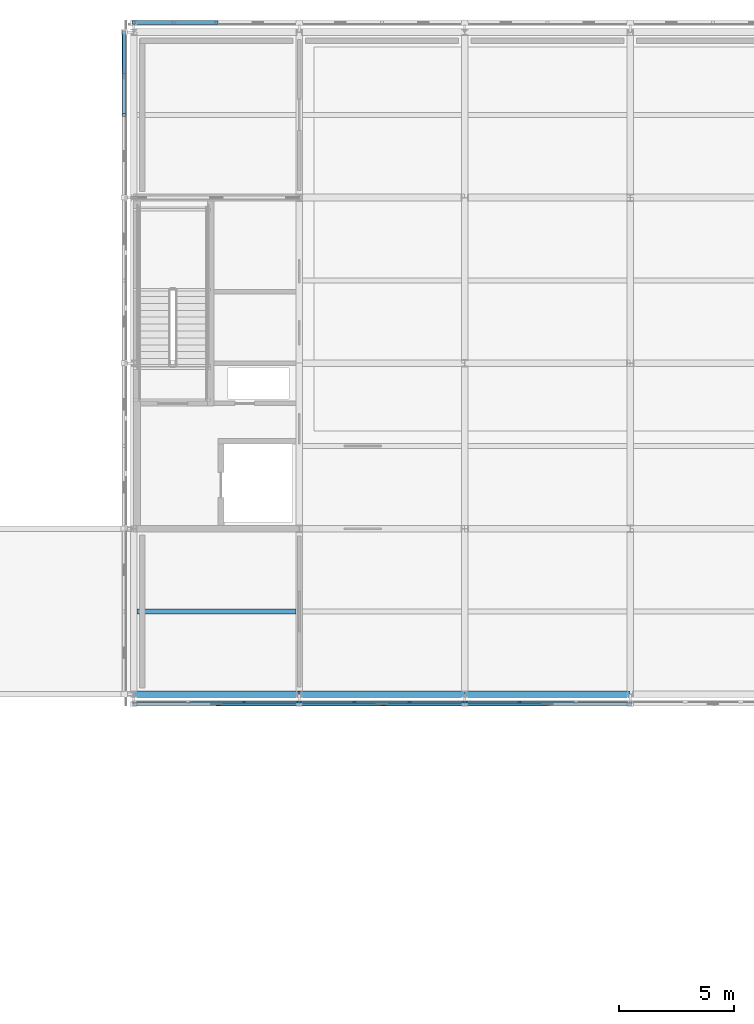
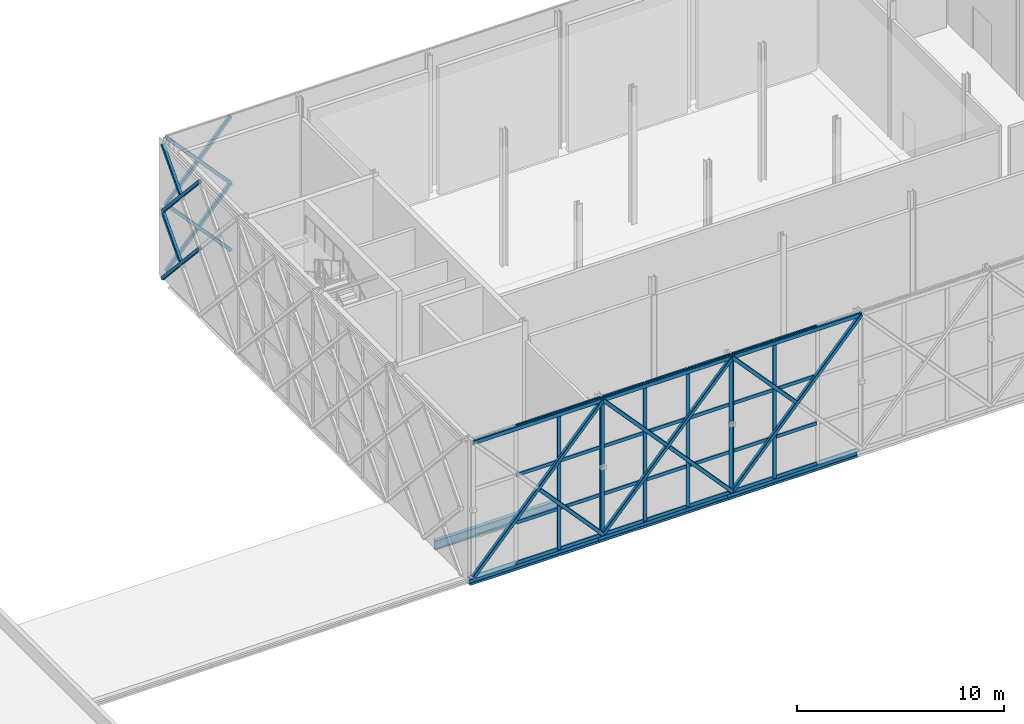
# One storey, part 43 of 76: 56 members, 4 beams, 3 elements without a shape of their own.
"""IFC4 building model written with IfcOpenShell, lengths in metres."""

from ifc_helpers import new_model, si_unit, direction, frame, origin, origin_2d, place, context, subcontext, project, spatial, rectangle, hollow_rectangle, i_section, extrude, material, material_profile, profile_set, type_object, element, aggregate, save


model = new_model("IFC4")

# Units and contexts
model_context = context("Model", 3, precision=1e-05, world=origin(), true_north=direction((0.0, 1.0)))
body_context = subcontext(model_context, "Body", "Model", "MODEL_VIEW")
ifc_project = project(units=[si_unit("LENGTHUNIT", "METRE"), si_unit("AREAUNIT", "SQUARE_METRE"), si_unit("VOLUMEUNIT", "CUBIC_METRE"), si_unit("PLANEANGLEUNIT", "RADIAN"), si_unit("MASSUNIT", "GRAM", prefix="KILO")], contexts=[model_context])

# Site, building, storey
site_placement = place(None, origin())
site = spatial("IfcSite", under=ifc_project, at=site_placement, CompositionType="ELEMENT")
building_placement = place(site_placement, origin())
building = spatial("IfcBuilding", under=site, at=building_placement, Name="Zlatovets Crest Museum", CompositionType="ELEMENT")
storey_placement = place(building_placement, frame((0.0, 0.0, 17.10009765625)))
storey = spatial("IfcBuildingStorey", under=building, at=storey_placement, Name="L04", CompositionType="ELEMENT", Elevation=17.10009765625)

# Beams
ifc_material_1 = material(Name="Structural steel S355J2", Category="steel")
ifc_material_profile_1 = material_profile(ifc_material_1, i_section(OverallWidth=0.300048828125, OverallDepth=0.35009765625, WebThickness=0.010009765625, FlangeThickness=0.017578125, FilletRadius=0.027099609375, at=origin_2d()), Name="HEA 360")
ifc_profile_set_1 = profile_set([ifc_material_profile_1], Name="Structural steel S355J2")
beam_type_1 = type_object("IfcBeamType", Name="Beam_B-03", PredefinedType="BEAM", material=ifc_profile_set_1)
for number, where, z_axis, x_axis, name in (
    (1, (57.60009765625, 86.39990234375, -0.4150390625), (1.0, 0.0, 0.0), (0.0, 1.0, 0.0), "V1 L04 Primary Girder B-03"),
    (2, (64.800048828125, 86.39990234375, -0.4150390625), (1.0, 0.0, 0.0), (0.0, 1.0, 0.0), "V1 L04 Primary Girder B-03"),
    (3, (72.0, 86.39990234375, -0.4150390625), (1.0, 0.0, 0.0), (0.0, 1.0, 0.0), "V1 L04 Primary Girder B-03"),
):
    element("IfcBeam", number, at=place(storey_placement, frame(where, z_axis=z_axis, x_axis=x_axis)), inside=storey, type_object=beam_type_1, Name=name, PredefinedType="BEAM", context=body_context, shape_type="SweptSolid", body=[
        extrude(i_section(OverallWidth=0.300048828125, OverallDepth=0.35009765625, WebThickness=0.010009765625, FlangeThickness=0.017578125, FilletRadius=0.027099609375, at=origin_2d()), origin(), (0.0, 0.0, 1.0), 7.199951171875),
    ])
ifc_material_profile_2 = material_profile(ifc_material_1, i_section(OverallWidth=0.2099609375, OverallDepth=0.550048828125, WebThickness=0.010986328125, FlangeThickness=0.01708984375, FilletRadius=0.02392578125, at=origin_2d()), Name="IPE 550")
ifc_profile_set_2 = profile_set([ifc_material_profile_2], Name="Structural steel S355J2")
beam_type_2 = type_object("IfcBeamType", Name="Beam_J-07", PredefinedType="JOIST", material=ifc_profile_set_2)
beam_placement = place(storey_placement, frame((57.75, 90.0, -0.51513671875), z_axis=(1.0, 0.0, 0.0), x_axis=(0.0, 1.0, 0.0)))
element("IfcBeam", 4, at=beam_placement, inside=storey, type_object=beam_type_2, Name="V1 L04 Composite Joist J-07", PredefinedType="JOIST", context=body_context, shape_type="SweptSolid", body=[
    extrude(i_section(OverallWidth=0.2099609375, OverallDepth=0.550048828125, WebThickness=0.010986328125, FlangeThickness=0.01708984375, FilletRadius=0.02392578125, at=origin_2d()), origin(), (0.0, 0.0, 1.0), 6.89990234375),
])

# Curtain wall, members
ifc_material_2 = material(Name="Bronze-anodised aluminium and low-E triple glass", Category="aluminium")
curtain_wall_type_1 = type_object("IfcCurtainWallType", Name="CW_CW-V1-L04-M0", PredefinedType="NOTDEFINED", material=ifc_material_2)
curtain_wall_1_placement = place(storey_placement, origin())
curtain_wall_1 = element("IfcCurtainWall", 5, at=curtain_wall_1_placement, inside=storey, type_object=curtain_wall_type_1, Name="V1 L04 Secession Foyer Clear Curtain Wall", PredefinedType="NOTDEFINED")
ifc_material_3 = material(Name="Bronze-anodised aluminium EN AW-6060", Category="aluminium")
ifc_material_profile_3 = material_profile(ifc_material_3, rectangle(XDim=0.090087890625, YDim=0.199951171875, at=origin_2d()), Name="ALU 90x200")
ifc_profile_set_3 = profile_set([ifc_material_profile_3], Name="Bronze-anodised aluminium EN AW-6060")
member_type_1 = type_object("IfcMemberType", Name="CWMull_M2", PredefinedType="MULLION", material=ifc_profile_set_3)
member_1_placement = place(storey_placement, frame((62.39990234375, 86.06005859375, 0.0), z_axis=(0.0, 0.0, 1.0), x_axis=(0.0, 1.0, 0.0)))
member_1 = element("IfcMember", 6, at=member_1_placement, type_object=member_type_1, Name="CW-V1-L04-M0 mullion 3", PredefinedType="MULLION", context=body_context, shape_type="SweptSolid", body=[
    extrude(rectangle(XDim=0.090087890625, YDim=0.199951171875, at=origin_2d()), origin(), (0.0, 0.0, 1.0), 8.099853515625),
])
member_2_placement = place(storey_placement, frame((64.77001953125, 86.06005859375, 0.0), z_axis=(0.0, 0.0, 1.0), x_axis=(0.0, 1.0, 0.0)))
member_2 = element("IfcMember", 7, at=member_2_placement, type_object=member_type_1, Name="CW-V1-L04-M0 mullion 4", PredefinedType="MULLION", context=body_context, shape_type="SweptSolid", body=[
    extrude(rectangle(XDim=0.090087890625, YDim=0.199951171875, at=origin_2d()), origin(), (0.0, 0.0, 1.0), 8.099853515625),
])

curtain_wall_type_2 = type_object("IfcCurtainWallType", Name="CW_CW-V1-L04-M1", PredefinedType="NOTDEFINED", material=ifc_material_2)
curtain_wall_2_placement = place(storey_placement, origin())
curtain_wall_2 = element("IfcCurtainWall", 8, at=curtain_wall_2_placement, inside=storey, type_object=curtain_wall_type_2, Name="V1 L04 Secession Foyer Clear Curtain Wall", PredefinedType="NOTDEFINED")
member_3_placement = place(storey_placement, frame((64.830078125, 86.06005859375, 0.0), z_axis=(0.0, 0.0, 1.0), x_axis=(0.0, 1.0, 0.0)))
member_3 = element("IfcMember", 9, at=member_3_placement, type_object=member_type_1, Name="CW-V1-L04-M1 mullion 1", PredefinedType="MULLION", context=body_context, shape_type="SweptSolid", body=[
    extrude(rectangle(XDim=0.090087890625, YDim=0.199951171875, at=origin_2d()), origin(), (0.0, 0.0, 1.0), 8.099853515625),
])
member_4_placement = place(storey_placement, frame((67.199951171875, 86.06005859375, 0.0), z_axis=(0.0, 0.0, 1.0), x_axis=(0.0, 1.0, 0.0)))
member_4 = element("IfcMember", 10, at=member_4_placement, type_object=member_type_1, Name="CW-V1-L04-M1 mullion 2", PredefinedType="MULLION", context=body_context, shape_type="SweptSolid", body=[
    extrude(rectangle(XDim=0.090087890625, YDim=0.199951171875, at=origin_2d()), origin(), (0.0, 0.0, 1.0), 8.099853515625),
])
member_5_placement = place(storey_placement, frame((69.60009765625, 86.06005859375, 0.0), z_axis=(0.0, 0.0, 1.0), x_axis=(0.0, 1.0, 0.0)))
member_5 = element("IfcMember", 11, at=member_5_placement, type_object=member_type_1, Name="CW-V1-L04-M1 mullion 3", PredefinedType="MULLION", context=body_context, shape_type="SweptSolid", body=[
    extrude(rectangle(XDim=0.090087890625, YDim=0.199951171875, at=origin_2d()), origin(), (0.0, 0.0, 1.0), 8.099853515625),
])
member_6_placement = place(storey_placement, frame((71.969970703125, 86.06005859375, 0.0), z_axis=(0.0, 0.0, 1.0), x_axis=(0.0, 1.0, 0.0)))
member_6 = element("IfcMember", 12, at=member_6_placement, type_object=member_type_1, Name="CW-V1-L04-M1 mullion 4", PredefinedType="MULLION", context=body_context, shape_type="SweptSolid", body=[
    extrude(rectangle(XDim=0.090087890625, YDim=0.199951171875, at=origin_2d()), origin(), (0.0, 0.0, 1.0), 8.099853515625),
])

curtain_wall_type_3 = type_object("IfcCurtainWallType", Name="CW_CW-V1-L04-M2", PredefinedType="NOTDEFINED", material=ifc_material_2)
curtain_wall_3_placement = place(storey_placement, origin())
curtain_wall_3 = element("IfcCurtainWall", 13, at=curtain_wall_3_placement, inside=storey, type_object=curtain_wall_type_3, Name="V1 L04 Secession Foyer Clear Curtain Wall", PredefinedType="NOTDEFINED")
member_7_placement = place(storey_placement, frame((72.030029296875, 86.06005859375, 0.0), z_axis=(0.0, 0.0, 1.0), x_axis=(0.0, 1.0, 0.0)))
member_7 = element("IfcMember", 14, at=member_7_placement, type_object=member_type_1, Name="CW-V1-L04-M2 mullion 1", PredefinedType="MULLION", context=body_context, shape_type="SweptSolid", body=[
    extrude(rectangle(XDim=0.090087890625, YDim=0.199951171875, at=origin_2d()), origin(), (0.0, 0.0, 1.0), 8.099853515625),
])
member_8_placement = place(storey_placement, frame((74.39990234375, 86.06005859375, 0.0), z_axis=(0.0, 0.0, 1.0), x_axis=(0.0, 1.0, 0.0)))
member_8 = element("IfcMember", 15, at=member_8_placement, type_object=member_type_1, Name="CW-V1-L04-M2 mullion 2", PredefinedType="MULLION", context=body_context, shape_type="SweptSolid", body=[
    extrude(rectangle(XDim=0.090087890625, YDim=0.199951171875, at=origin_2d()), origin(), (0.0, 0.0, 1.0), 8.099853515625),
])

# Member
ifc_material_profile_4 = material_profile(ifc_material_3, rectangle(XDim=0.090087890625, YDim=0.199951171875, at=origin_2d()), Name="ALU 90x200")
ifc_profile_set_4 = profile_set([ifc_material_profile_4], Name="Bronze-anodised aluminium EN AW-6060")
member_type_2 = type_object("IfcMemberType", Name="CWTrans_T2", PredefinedType="USERDEFINED", material=ifc_profile_set_4)
member_9_placement = place(storey_placement, frame((60.030029296875, 86.06005859375, 0.02978515625), z_axis=(1.0, 0.0, 0.0), x_axis=(0.0, 1.0, 0.0)))
member_9 = element("IfcMember", 16, at=member_9_placement, type_object=member_type_2, Name="CW-V1-L04-M0 transom 2.1", ObjectType="TRANSOM", PredefinedType="USERDEFINED", context=body_context, shape_type="SweptSolid", body=[
    extrude(rectangle(XDim=0.090087890625, YDim=0.199951171875, at=origin_2d()), origin(), (0.0, 0.0, 1.0), 2.340087890625),
])

member_10_placement = place(storey_placement, frame((60.030029296875, 86.06005859375, 2.39990234375), z_axis=(1.0, 0.0, 0.0), x_axis=(0.0, 1.0, 0.0)))
member_10 = element("IfcMember", 17, at=member_10_placement, type_object=member_type_2, Name="CW-V1-L04-M0 transom 2.2", ObjectType="TRANSOM", PredefinedType="USERDEFINED", context=body_context, shape_type="SweptSolid", body=[
    extrude(rectangle(XDim=0.090087890625, YDim=0.199951171875, at=origin_2d()), origin(), (0.0, 0.0, 1.0), 2.340087890625),
])

member_11_placement = place(storey_placement, frame((60.030029296875, 86.06005859375, 5.199951171875), z_axis=(1.0, 0.0, 0.0), x_axis=(0.0, 1.0, 0.0)))
member_11 = element("IfcMember", 18, at=member_11_placement, type_object=member_type_2, Name="CW-V1-L04-M0 transom 2.3", ObjectType="TRANSOM", PredefinedType="USERDEFINED", context=body_context, shape_type="SweptSolid", body=[
    extrude(rectangle(XDim=0.090087890625, YDim=0.199951171875, at=origin_2d()), origin(), (0.0, 0.0, 1.0), 2.340087890625),
])

member_12_placement = place(storey_placement, frame((60.030029296875, 86.06005859375, 8.06982421875), z_axis=(1.0, 0.0, 0.0), x_axis=(0.0, 1.0, 0.0)))
member_12 = element("IfcMember", 19, at=member_12_placement, type_object=member_type_2, Name="CW-V1-L04-M0 transom 2.4", ObjectType="TRANSOM", PredefinedType="USERDEFINED", context=body_context, shape_type="SweptSolid", body=[
    extrude(rectangle(XDim=0.090087890625, YDim=0.199951171875, at=origin_2d()), origin(), (0.0, 0.0, 1.0), 2.340087890625),
])

member_13_placement = place(storey_placement, frame((62.429931640625, 86.06005859375, 0.02978515625), z_axis=(1.0, 0.0, 0.0), x_axis=(0.0, 1.0, 0.0)))
member_13 = element("IfcMember", 20, at=member_13_placement, type_object=member_type_2, Name="CW-V1-L04-M0 transom 3.1", ObjectType="TRANSOM", PredefinedType="USERDEFINED", context=body_context, shape_type="SweptSolid", body=[
    extrude(rectangle(XDim=0.090087890625, YDim=0.199951171875, at=origin_2d()), origin(), (0.0, 0.0, 1.0), 2.31005859375),
])

member_14_placement = place(storey_placement, frame((62.429931640625, 86.06005859375, 2.39990234375), z_axis=(1.0, 0.0, 0.0), x_axis=(0.0, 1.0, 0.0)))
member_14 = element("IfcMember", 21, at=member_14_placement, type_object=member_type_2, Name="CW-V1-L04-M0 transom 3.2", ObjectType="TRANSOM", PredefinedType="USERDEFINED", context=body_context, shape_type="SweptSolid", body=[
    extrude(rectangle(XDim=0.090087890625, YDim=0.199951171875, at=origin_2d()), origin(), (0.0, 0.0, 1.0), 2.31005859375),
])

member_15_placement = place(storey_placement, frame((62.429931640625, 86.06005859375, 5.199951171875), z_axis=(1.0, 0.0, 0.0), x_axis=(0.0, 1.0, 0.0)))
member_15 = element("IfcMember", 22, at=member_15_placement, type_object=member_type_2, Name="CW-V1-L04-M0 transom 3.3", ObjectType="TRANSOM", PredefinedType="USERDEFINED", context=body_context, shape_type="SweptSolid", body=[
    extrude(rectangle(XDim=0.090087890625, YDim=0.199951171875, at=origin_2d()), origin(), (0.0, 0.0, 1.0), 2.31005859375),
])

member_16_placement = place(storey_placement, frame((62.429931640625, 86.06005859375, 8.06982421875), z_axis=(1.0, 0.0, 0.0), x_axis=(0.0, 1.0, 0.0)))
member_16 = element("IfcMember", 23, at=member_16_placement, type_object=member_type_2, Name="CW-V1-L04-M0 transom 3.4", ObjectType="TRANSOM", PredefinedType="USERDEFINED", context=body_context, shape_type="SweptSolid", body=[
    extrude(rectangle(XDim=0.090087890625, YDim=0.199951171875, at=origin_2d()), origin(), (0.0, 0.0, 1.0), 2.31005859375),
])

aggregate(curtain_wall_1, [member_1, member_2, member_9, member_10, member_11, member_12, member_13, member_14, member_15, member_16])

member_17_placement = place(storey_placement, frame((64.860107421875, 86.06005859375, 0.02978515625), z_axis=(1.0, 0.0, 0.0), x_axis=(0.0, 1.0, 0.0)))
member_17 = element("IfcMember", 24, at=member_17_placement, type_object=member_type_2, Name="CW-V1-L04-M1 transom 1.1", ObjectType="TRANSOM", PredefinedType="USERDEFINED", context=body_context, shape_type="SweptSolid", body=[
    extrude(rectangle(XDim=0.090087890625, YDim=0.199951171875, at=origin_2d()), origin(), (0.0, 0.0, 1.0), 2.309814453125),
])

member_18_placement = place(storey_placement, frame((64.860107421875, 86.06005859375, 2.39990234375), z_axis=(1.0, 0.0, 0.0), x_axis=(0.0, 1.0, 0.0)))
member_18 = element("IfcMember", 25, at=member_18_placement, type_object=member_type_2, Name="CW-V1-L04-M1 transom 1.2", ObjectType="TRANSOM", PredefinedType="USERDEFINED", context=body_context, shape_type="SweptSolid", body=[
    extrude(rectangle(XDim=0.090087890625, YDim=0.199951171875, at=origin_2d()), origin(), (0.0, 0.0, 1.0), 2.309814453125),
])

member_19_placement = place(storey_placement, frame((64.860107421875, 86.06005859375, 5.199951171875), z_axis=(1.0, 0.0, 0.0), x_axis=(0.0, 1.0, 0.0)))
member_19 = element("IfcMember", 26, at=member_19_placement, type_object=member_type_2, Name="CW-V1-L04-M1 transom 1.3", ObjectType="TRANSOM", PredefinedType="USERDEFINED", context=body_context, shape_type="SweptSolid", body=[
    extrude(rectangle(XDim=0.090087890625, YDim=0.199951171875, at=origin_2d()), origin(), (0.0, 0.0, 1.0), 2.309814453125),
])

member_20_placement = place(storey_placement, frame((64.860107421875, 86.06005859375, 8.06982421875), z_axis=(1.0, 0.0, 0.0), x_axis=(0.0, 1.0, 0.0)))
member_20 = element("IfcMember", 27, at=member_20_placement, type_object=member_type_2, Name="CW-V1-L04-M1 transom 1.4", ObjectType="TRANSOM", PredefinedType="USERDEFINED", context=body_context, shape_type="SweptSolid", body=[
    extrude(rectangle(XDim=0.090087890625, YDim=0.199951171875, at=origin_2d()), origin(), (0.0, 0.0, 1.0), 2.309814453125),
])

member_21_placement = place(storey_placement, frame((67.22998046875, 86.06005859375, 0.02978515625), z_axis=(1.0, 0.0, 0.0), x_axis=(0.0, 1.0, 0.0)))
member_21 = element("IfcMember", 28, at=member_21_placement, type_object=member_type_2, Name="CW-V1-L04-M1 transom 2.1", ObjectType="TRANSOM", PredefinedType="USERDEFINED", context=body_context, shape_type="SweptSolid", body=[
    extrude(rectangle(XDim=0.090087890625, YDim=0.199951171875, at=origin_2d()), origin(), (0.0, 0.0, 1.0), 2.340087890625),
])

member_22_placement = place(storey_placement, frame((67.22998046875, 86.06005859375, 2.39990234375), z_axis=(1.0, 0.0, 0.0), x_axis=(0.0, 1.0, 0.0)))
member_22 = element("IfcMember", 29, at=member_22_placement, type_object=member_type_2, Name="CW-V1-L04-M1 transom 2.2", ObjectType="TRANSOM", PredefinedType="USERDEFINED", context=body_context, shape_type="SweptSolid", body=[
    extrude(rectangle(XDim=0.090087890625, YDim=0.199951171875, at=origin_2d()), origin(), (0.0, 0.0, 1.0), 2.340087890625),
])

member_23_placement = place(storey_placement, frame((67.22998046875, 86.06005859375, 5.199951171875), z_axis=(1.0, 0.0, 0.0), x_axis=(0.0, 1.0, 0.0)))
member_23 = element("IfcMember", 30, at=member_23_placement, type_object=member_type_2, Name="CW-V1-L04-M1 transom 2.3", ObjectType="TRANSOM", PredefinedType="USERDEFINED", context=body_context, shape_type="SweptSolid", body=[
    extrude(rectangle(XDim=0.090087890625, YDim=0.199951171875, at=origin_2d()), origin(), (0.0, 0.0, 1.0), 2.340087890625),
])

member_24_placement = place(storey_placement, frame((67.22998046875, 86.06005859375, 8.06982421875), z_axis=(1.0, 0.0, 0.0), x_axis=(0.0, 1.0, 0.0)))
member_24 = element("IfcMember", 31, at=member_24_placement, type_object=member_type_2, Name="CW-V1-L04-M1 transom 2.4", ObjectType="TRANSOM", PredefinedType="USERDEFINED", context=body_context, shape_type="SweptSolid", body=[
    extrude(rectangle(XDim=0.090087890625, YDim=0.199951171875, at=origin_2d()), origin(), (0.0, 0.0, 1.0), 2.340087890625),
])

member_25_placement = place(storey_placement, frame((69.6298828125, 86.06005859375, 0.02978515625), z_axis=(1.0, 0.0, 0.0), x_axis=(0.0, 1.0, 0.0)))
member_25 = element("IfcMember", 32, at=member_25_placement, type_object=member_type_2, Name="CW-V1-L04-M1 transom 3.1", ObjectType="TRANSOM", PredefinedType="USERDEFINED", context=body_context, shape_type="SweptSolid", body=[
    extrude(rectangle(XDim=0.090087890625, YDim=0.199951171875, at=origin_2d()), origin(), (0.0, 0.0, 1.0), 2.31005859375),
])

member_26_placement = place(storey_placement, frame((69.6298828125, 86.06005859375, 2.39990234375), z_axis=(1.0, 0.0, 0.0), x_axis=(0.0, 1.0, 0.0)))
member_26 = element("IfcMember", 33, at=member_26_placement, type_object=member_type_2, Name="CW-V1-L04-M1 transom 3.2", ObjectType="TRANSOM", PredefinedType="USERDEFINED", context=body_context, shape_type="SweptSolid", body=[
    extrude(rectangle(XDim=0.090087890625, YDim=0.199951171875, at=origin_2d()), origin(), (0.0, 0.0, 1.0), 2.31005859375),
])

member_27_placement = place(storey_placement, frame((69.6298828125, 86.06005859375, 5.199951171875), z_axis=(1.0, 0.0, 0.0), x_axis=(0.0, 1.0, 0.0)))
member_27 = element("IfcMember", 34, at=member_27_placement, type_object=member_type_2, Name="CW-V1-L04-M1 transom 3.3", ObjectType="TRANSOM", PredefinedType="USERDEFINED", context=body_context, shape_type="SweptSolid", body=[
    extrude(rectangle(XDim=0.090087890625, YDim=0.199951171875, at=origin_2d()), origin(), (0.0, 0.0, 1.0), 2.31005859375),
])

member_28_placement = place(storey_placement, frame((69.6298828125, 86.06005859375, 8.06982421875), z_axis=(1.0, 0.0, 0.0), x_axis=(0.0, 1.0, 0.0)))
member_28 = element("IfcMember", 35, at=member_28_placement, type_object=member_type_2, Name="CW-V1-L04-M1 transom 3.4", ObjectType="TRANSOM", PredefinedType="USERDEFINED", context=body_context, shape_type="SweptSolid", body=[
    extrude(rectangle(XDim=0.090087890625, YDim=0.199951171875, at=origin_2d()), origin(), (0.0, 0.0, 1.0), 2.31005859375),
])

aggregate(curtain_wall_2, [member_3, member_4, member_5, member_6, member_17, member_18, member_19, member_20, member_21, member_22, member_23, member_24, member_25, member_26, member_27, member_28])

member_29_placement = place(storey_placement, frame((72.06005859375, 86.06005859375, 0.02978515625), z_axis=(1.0, 0.0, 0.0), x_axis=(0.0, 1.0, 0.0)))
member_29 = element("IfcMember", 36, at=member_29_placement, type_object=member_type_2, Name="CW-V1-L04-M2 transom 1.1", ObjectType="TRANSOM", PredefinedType="USERDEFINED", context=body_context, shape_type="SweptSolid", body=[
    extrude(rectangle(XDim=0.090087890625, YDim=0.199951171875, at=origin_2d()), origin(), (0.0, 0.0, 1.0), 2.31005859375),
])

member_30_placement = place(storey_placement, frame((72.06005859375, 86.06005859375, 2.39990234375), z_axis=(1.0, 0.0, 0.0), x_axis=(0.0, 1.0, 0.0)))
member_30 = element("IfcMember", 37, at=member_30_placement, type_object=member_type_2, Name="CW-V1-L04-M2 transom 1.2", ObjectType="TRANSOM", PredefinedType="USERDEFINED", context=body_context, shape_type="SweptSolid", body=[
    extrude(rectangle(XDim=0.090087890625, YDim=0.199951171875, at=origin_2d()), origin(), (0.0, 0.0, 1.0), 2.31005859375),
])

member_31_placement = place(storey_placement, frame((72.06005859375, 86.06005859375, 5.199951171875), z_axis=(1.0, 0.0, 0.0), x_axis=(0.0, 1.0, 0.0)))
member_31 = element("IfcMember", 38, at=member_31_placement, type_object=member_type_2, Name="CW-V1-L04-M2 transom 1.3", ObjectType="TRANSOM", PredefinedType="USERDEFINED", context=body_context, shape_type="SweptSolid", body=[
    extrude(rectangle(XDim=0.090087890625, YDim=0.199951171875, at=origin_2d()), origin(), (0.0, 0.0, 1.0), 2.31005859375),
])

member_32_placement = place(storey_placement, frame((72.06005859375, 86.06005859375, 8.06982421875), z_axis=(1.0, 0.0, 0.0), x_axis=(0.0, 1.0, 0.0)))
member_32 = element("IfcMember", 39, at=member_32_placement, type_object=member_type_2, Name="CW-V1-L04-M2 transom 1.4", ObjectType="TRANSOM", PredefinedType="USERDEFINED", context=body_context, shape_type="SweptSolid", body=[
    extrude(rectangle(XDim=0.090087890625, YDim=0.199951171875, at=origin_2d()), origin(), (0.0, 0.0, 1.0), 2.31005859375),
])

member_33_placement = place(storey_placement, frame((74.429931640625, 86.06005859375, 0.02978515625), z_axis=(1.0, 0.0, 0.0), x_axis=(0.0, 1.0, 0.0)))
member_33 = element("IfcMember", 40, at=member_33_placement, type_object=member_type_2, Name="CW-V1-L04-M2 transom 2.1", ObjectType="TRANSOM", PredefinedType="USERDEFINED", context=body_context, shape_type="SweptSolid", body=[
    extrude(rectangle(XDim=0.090087890625, YDim=0.199951171875, at=origin_2d()), origin(), (0.0, 0.0, 1.0), 2.340087890625),
])

member_34_placement = place(storey_placement, frame((74.429931640625, 86.06005859375, 2.39990234375), z_axis=(1.0, 0.0, 0.0), x_axis=(0.0, 1.0, 0.0)))
member_34 = element("IfcMember", 41, at=member_34_placement, type_object=member_type_2, Name="CW-V1-L04-M2 transom 2.2", ObjectType="TRANSOM", PredefinedType="USERDEFINED", context=body_context, shape_type="SweptSolid", body=[
    extrude(rectangle(XDim=0.090087890625, YDim=0.199951171875, at=origin_2d()), origin(), (0.0, 0.0, 1.0), 2.340087890625),
])

member_35_placement = place(storey_placement, frame((74.429931640625, 86.06005859375, 5.199951171875), z_axis=(1.0, 0.0, 0.0), x_axis=(0.0, 1.0, 0.0)))
member_35 = element("IfcMember", 42, at=member_35_placement, type_object=member_type_2, Name="CW-V1-L04-M2 transom 2.3", ObjectType="TRANSOM", PredefinedType="USERDEFINED", context=body_context, shape_type="SweptSolid", body=[
    extrude(rectangle(XDim=0.090087890625, YDim=0.199951171875, at=origin_2d()), origin(), (0.0, 0.0, 1.0), 2.340087890625),
])

member_36_placement = place(storey_placement, frame((74.429931640625, 86.06005859375, 8.06982421875), z_axis=(1.0, 0.0, 0.0), x_axis=(0.0, 1.0, 0.0)))
member_36 = element("IfcMember", 43, at=member_36_placement, type_object=member_type_2, Name="CW-V1-L04-M2 transom 2.4", ObjectType="TRANSOM", PredefinedType="USERDEFINED", context=body_context, shape_type="SweptSolid", body=[
    extrude(rectangle(XDim=0.090087890625, YDim=0.199951171875, at=origin_2d()), origin(), (0.0, 0.0, 1.0), 2.340087890625),
])

aggregate(curtain_wall_3, [member_7, member_8, member_29, member_30, member_31, member_32, member_33, member_34, member_35, member_36])

# Members
ifc_material_4 = material(Name="Weathering bronze-steel S355J2W", Category="steel")
ifc_material_profile_5 = material_profile(ifc_material_4, hollow_rectangle(XDim=0.179931640625, YDim=0.179931640625, WallThickness=0.010009765625, InnerFilletRadius=0.010009765625, OuterFilletRadius=0.02001953125, at=origin_2d()), Name="SHS 180x180x10.0")
ifc_profile_set_5 = profile_set([ifc_material_profile_5], Name="Weathering bronze-steel S355J2W")
member_type_3 = type_object("IfcMemberType", Name="Lattice_XL-01", PredefinedType="BRACE", material=ifc_profile_set_5)
member_37_placement = place(storey_placement, frame((61.199951171875, 115.6201171875, 0.099853515625), z_axis=(-0.673593164257, 0.0, 0.739102326519), x_axis=(0.0, -1.0, 0.0)))
element("IfcMember", 44, at=member_37_placement, inside=storey, type_object=member_type_3, Name="Continuous Bronze Lattice Diagonal", PredefinedType="BRACE", context=body_context, shape_type="SweptSolid", body=[
    extrude(hollow_rectangle(XDim=0.179931640625, YDim=0.179931640625, WallThickness=0.010009765625, InnerFilletRadius=0.010009765625, OuterFilletRadius=0.02001953125, at=origin_2d()), origin(), (0.0, 0.0, 1.0), 5.34423828125),
])
for number, where, z_axis, x_axis, name in (
    (45, (61.199951171875, 115.6201171875, 4.0498046875), (-0.673568214247, 0.0, -0.739125064354), (0.0, -1.0, 0.0), "Split Crossing Bronze Lattice Diagonal Upper"),
    (46, (59.3359375, 115.6201171875, 2.004638671875), (-0.673568214247, 0.0, -0.739125064354), (0.0, -1.0, 0.0), "Split Crossing Bronze Lattice Diagonal Lower"),
):
    element("IfcMember", number, at=place(storey_placement, frame(where, z_axis=z_axis, x_axis=x_axis)), inside=storey, type_object=member_type_3, Name=name, PredefinedType="BRACE", context=body_context, shape_type="SweptSolid", body=[
        extrude(hollow_rectangle(XDim=0.179931640625, YDim=0.179931640625, WallThickness=0.010009765625, InnerFilletRadius=0.010009765625, OuterFilletRadius=0.02001953125, at=origin_2d()), origin(), (0.0, 0.0, 1.0), 2.5771484375),
    ])
member_38_placement = place(storey_placement, frame((61.199951171875, 115.6201171875, 4.0498046875), z_axis=(-0.67357042132, 0.0, 0.739123053032), x_axis=(0.0, -1.0, 0.0)))
element("IfcMember", 47, at=member_38_placement, inside=storey, type_object=member_type_3, Name="Continuous Bronze Lattice Diagonal", PredefinedType="BRACE", context=body_context, shape_type="SweptSolid", body=[
    extrude(hollow_rectangle(XDim=0.179931640625, YDim=0.179931640625, WallThickness=0.010009765625, InnerFilletRadius=0.010009765625, OuterFilletRadius=0.02001953125, at=origin_2d()), origin(), (0.0, 0.0, 1.0), 5.344482421875),
])
for number, where, z_axis, x_axis, name in (
    (48, (61.199951171875, 115.6201171875, 8.0), (-0.673568214247, 0.0, -0.739125064354), (0.0, -1.0, 0.0), "Split Crossing Bronze Lattice Diagonal Upper"),
    (49, (59.3359375, 115.6201171875, 5.95458984375), (-0.673568214247, 0.0, -0.739125064354), (0.0, -1.0, 0.0), "Split Crossing Bronze Lattice Diagonal Lower"),
):
    element("IfcMember", number, at=place(storey_placement, frame(where, z_axis=z_axis, x_axis=x_axis)), inside=storey, type_object=member_type_3, Name=name, PredefinedType="BRACE", context=body_context, shape_type="SweptSolid", body=[
        extrude(hollow_rectangle(XDim=0.179931640625, YDim=0.179931640625, WallThickness=0.010009765625, InnerFilletRadius=0.010009765625, OuterFilletRadius=0.02001953125, at=origin_2d()), origin(), (0.0, 0.0, 1.0), 2.5771484375),
    ])
member_39_placement = place(storey_placement, frame((57.179931640625, 115.199951171875, 0.099853515625), z_axis=(0.0, -0.673593164257, 0.739102326519), x_axis=(1.0, 0.0, 0.0)))
element("IfcMember", 50, at=member_39_placement, inside=storey, type_object=member_type_3, Name="Continuous Bronze Lattice Diagonal", PredefinedType="BRACE", context=body_context, shape_type="SweptSolid", body=[
    extrude(hollow_rectangle(XDim=0.179931640625, YDim=0.179931640625, WallThickness=0.010009765625, InnerFilletRadius=0.010009765625, OuterFilletRadius=0.02001953125, at=origin_2d()), origin(), (0.0, 0.0, 1.0), 5.34423828125),
])
member_40_placement = place(storey_placement, frame((57.179931640625, 115.199951171875, 4.0498046875), z_axis=(0.0, -0.673568214247, -0.739125064354), x_axis=(1.0, 0.0, 0.0)))
element("IfcMember", 51, at=member_40_placement, inside=storey, type_object=member_type_3, Name="Split Crossing Bronze Lattice Diagonal Upper", PredefinedType="BRACE", context=body_context, shape_type="SweptSolid", body=[
    extrude(hollow_rectangle(XDim=0.179931640625, YDim=0.179931640625, WallThickness=0.010009765625, InnerFilletRadius=0.010009765625, OuterFilletRadius=0.02001953125, at=origin_2d()), origin(), (0.0, 0.0, 1.0), 2.5771484375),
])
member_41_placement = place(storey_placement, frame((57.179931640625, 115.199951171875, 4.0498046875), z_axis=(0.0, -0.67357042132, 0.739123053032), x_axis=(1.0, 0.0, 0.0)))
element("IfcMember", 52, at=member_41_placement, inside=storey, type_object=member_type_3, Name="Continuous Bronze Lattice Diagonal", PredefinedType="BRACE", context=body_context, shape_type="SweptSolid", body=[
    extrude(hollow_rectangle(XDim=0.179931640625, YDim=0.179931640625, WallThickness=0.010009765625, InnerFilletRadius=0.010009765625, OuterFilletRadius=0.02001953125, at=origin_2d()), origin(), (0.0, 0.0, 1.0), 5.344482421875),
])
member_42_placement = place(storey_placement, frame((57.179931640625, 115.199951171875, 8.0), z_axis=(0.0, -0.673568214247, -0.739125064354), x_axis=(1.0, 0.0, 0.0)))
element("IfcMember", 53, at=member_42_placement, inside=storey, type_object=member_type_3, Name="Split Crossing Bronze Lattice Diagonal Upper", PredefinedType="BRACE", context=body_context, shape_type="SweptSolid", body=[
    extrude(hollow_rectangle(XDim=0.179931640625, YDim=0.179931640625, WallThickness=0.010009765625, InnerFilletRadius=0.010009765625, OuterFilletRadius=0.02001953125, at=origin_2d()), origin(), (0.0, 0.0, 1.0), 2.5771484375),
])
ifc_material_profile_6 = material_profile(ifc_material_4, hollow_rectangle(XDim=0.199951171875, YDim=0.199951171875, WallThickness=0.012451171875, InnerFilletRadius=0.012451171875, OuterFilletRadius=0.02490234375, at=origin_2d()), Name="SHS 200x200x12.5")
ifc_profile_set_6 = profile_set([ifc_material_profile_6], Name="Weathering bronze-steel S355J2W")
member_type_4 = type_object("IfcMemberType", Name="Lattice_XL-02", PredefinedType="BRACE", material=ifc_profile_set_6)
member_43_placement = place(storey_placement, frame((57.60009765625, 85.97998046875, 0.099853515625), z_axis=(0.673594270156, 0.0, 0.739101318639), x_axis=(0.0, 1.0, 0.0)))
element("IfcMember", 54, at=member_43_placement, inside=storey, type_object=member_type_4, Name="Continuous Bronze Lattice Diagonal", PredefinedType="BRACE", context=body_context, shape_type="SweptSolid", body=[
    extrude(hollow_rectangle(XDim=0.199951171875, YDim=0.199951171875, WallThickness=0.012451171875, InnerFilletRadius=0.012451171875, OuterFilletRadius=0.02490234375, at=origin_2d()), origin(), (0.0, 0.0, 1.0), 10.68896484375),
])
member_44_placement = place(storey_placement, frame((61.263916015625, 85.97998046875, 3.979736328125), z_axis=(0.673607447357, 0.0, -0.739089309127), x_axis=(0.0, 1.0, 0.0)))
element("IfcMember", 55, at=member_44_placement, inside=storey, type_object=member_type_4, Name="Split Crossing Bronze Lattice Diagonal Lower", PredefinedType="BRACE", context=body_context, shape_type="SweptSolid", body=[
    extrude(hollow_rectangle(XDim=0.199951171875, YDim=0.199951171875, WallThickness=0.012451171875, InnerFilletRadius=0.012451171875, OuterFilletRadius=0.02490234375, at=origin_2d()), origin(), (0.0, 0.0, 1.0), 5.24951171875),
])
member_45_placement = place(storey_placement, frame((64.800048828125, 85.97998046875, 0.099853515625), z_axis=(0.673594270156, 0.0, 0.739101318639), x_axis=(0.0, 1.0, 0.0)))
element("IfcMember", 56, at=member_45_placement, inside=storey, type_object=member_type_4, Name="Continuous Bronze Lattice Diagonal", PredefinedType="BRACE", context=body_context, shape_type="SweptSolid", body=[
    extrude(hollow_rectangle(XDim=0.199951171875, YDim=0.199951171875, WallThickness=0.012451171875, InnerFilletRadius=0.012451171875, OuterFilletRadius=0.02490234375, at=origin_2d()), origin(), (0.0, 0.0, 1.0), 10.68896484375),
])
for number, where, z_axis, x_axis, name in (
    (57, (64.800048828125, 85.97998046875, 8.0), (0.673582041572, 0.0, -0.73911246321), (0.0, 1.0, 0.0), "Split Crossing Bronze Lattice Diagonal Upper"),
    (58, (68.464111328125, 85.97998046875, 3.979736328125), (0.673582041572, 0.0, -0.73911246321), (0.0, 1.0, 0.0), "Split Crossing Bronze Lattice Diagonal Lower"),
):
    element("IfcMember", number, at=place(storey_placement, frame(where, z_axis=z_axis, x_axis=x_axis)), inside=storey, type_object=member_type_4, Name=name, PredefinedType="BRACE", context=body_context, shape_type="SweptSolid", body=[
        extrude(hollow_rectangle(XDim=0.199951171875, YDim=0.199951171875, WallThickness=0.012451171875, InnerFilletRadius=0.012451171875, OuterFilletRadius=0.02490234375, at=origin_2d()), origin(), (0.0, 0.0, 1.0), 5.249267578125),
    ])
member_46_placement = place(storey_placement, frame((72.0, 85.97998046875, 0.099853515625), z_axis=(0.673594270156, 0.0, 0.739101318639), x_axis=(0.0, 1.0, 0.0)))
element("IfcMember", 59, at=member_46_placement, inside=storey, type_object=member_type_4, Name="Continuous Bronze Lattice Diagonal", PredefinedType="BRACE", context=body_context, shape_type="SweptSolid", body=[
    extrude(hollow_rectangle(XDim=0.199951171875, YDim=0.199951171875, WallThickness=0.012451171875, InnerFilletRadius=0.012451171875, OuterFilletRadius=0.02490234375, at=origin_2d()), origin(), (0.0, 0.0, 1.0), 10.68896484375),
])
member_47_placement = place(storey_placement, frame((72.0, 85.97998046875, 8.0), z_axis=(0.673582041572, 0.0, -0.73911246321), x_axis=(0.0, 1.0, 0.0)))
element("IfcMember", 60, at=member_47_placement, inside=storey, type_object=member_type_4, Name="Split Crossing Bronze Lattice Diagonal Upper", PredefinedType="BRACE", context=body_context, shape_type="SweptSolid", body=[
    extrude(hollow_rectangle(XDim=0.199951171875, YDim=0.199951171875, WallThickness=0.012451171875, InnerFilletRadius=0.012451171875, OuterFilletRadius=0.02490234375, at=origin_2d()), origin(), (0.0, 0.0, 1.0), 5.249267578125),
])
ifc_material_profile_7 = material_profile(ifc_material_4, hollow_rectangle(XDim=0.1201171875, YDim=0.239990234375, WallThickness=0.010009765625, InnerFilletRadius=0.010009765625, OuterFilletRadius=0.02001953125, at=origin_2d()), Name="RHS 120x240x10.0")
ifc_profile_set_7 = profile_set([ifc_material_profile_7], Name="Weathering bronze-steel S355J2W")
member_type_5 = type_object("IfcMemberType", Name="Lattice_XL-04", PredefinedType="CHORD", material=ifc_profile_set_7)
for number, where, z_axis, x_axis, name in (
    (61, (57.60009765625, 85.97998046875, 8.0), (1.0, 0.0, 0.0), (0.0, 1.0, 0.0), "Art Nouveau Woven Cage Collector Ring Chord"),
    (62, (64.800048828125, 85.97998046875, 8.0), (1.0, 0.0, 0.0), (0.0, 1.0, 0.0), "Art Nouveau Woven Cage Collector Ring Chord"),
    (63, (72.0, 85.97998046875, 8.0), (1.0, 0.0, 0.0), (0.0, 1.0, 0.0), "Art Nouveau Woven Cage Collector Ring Chord"),
):
    element("IfcMember", number, at=place(storey_placement, frame(where, z_axis=z_axis, x_axis=x_axis)), inside=storey, type_object=member_type_5, Name=name, PredefinedType="CHORD", context=body_context, shape_type="SweptSolid", body=[
        extrude(hollow_rectangle(XDim=0.1201171875, YDim=0.239990234375, WallThickness=0.010009765625, InnerFilletRadius=0.010009765625, OuterFilletRadius=0.02001953125, at=origin_2d()), origin(), (0.0, 0.0, 1.0), 7.199951171875),
    ])

save(model, "model.ifc")
